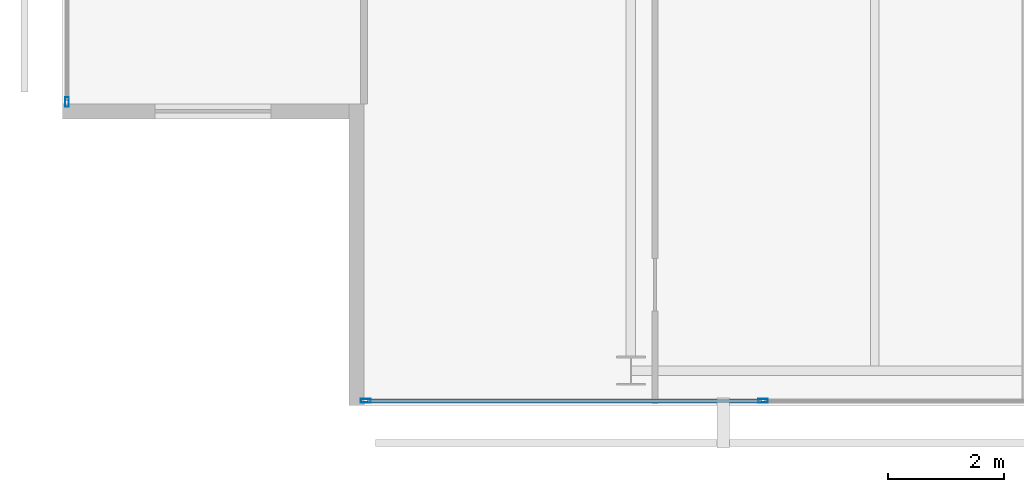
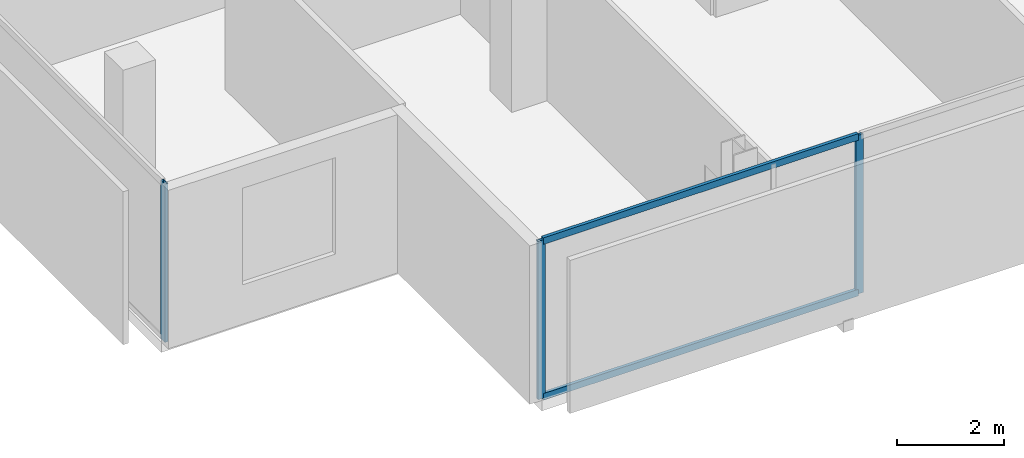
# One storey, part 2 of 25: 5 members, 2 elements without a shape of their own.
"""IFC4 building model written with IfcOpenShell, lengths in metres."""

from ifc_helpers import new_model, si_unit, direction, frame, origin, origin_2d, place, context, subcontext, project, spatial, hollow_rectangle, extrude, material, layer, layer_set, material_profile, profile_set, type_object, element, aggregate, save


model = new_model("IFC4")

# Units and contexts
model_context = context("Model", 3, precision=1e-05, world=origin(), true_north=direction((0.0, 1.0)))
body_context = subcontext(model_context, "Body", "Model", "MODEL_VIEW")
ifc_project = project(units=[si_unit("LENGTHUNIT", "METRE"), si_unit("AREAUNIT", "SQUARE_METRE"), si_unit("VOLUMEUNIT", "CUBIC_METRE"), si_unit("PLANEANGLEUNIT", "RADIAN"), si_unit("MASSUNIT", "GRAM", prefix="KILO")], contexts=[model_context])

# Site, building, storey
site_placement = place(None, origin())
site = spatial("IfcSite", under=ifc_project, at=site_placement, CompositionType="ELEMENT")
building_placement = place(site_placement, origin())
building = spatial("IfcBuilding", under=site, at=building_placement, Name="Maruvema Waterfront Hotel and Observation Tower", CompositionType="ELEMENT")
storey_placement = place(building_placement, frame((0.0, 0.0, 297.14990234375)))
storey = spatial("IfcBuildingStorey", under=building, at=storey_placement, Name="L73", CompositionType="ELEMENT", Elevation=297.14990234375)

# Curtain wall, members
ifc_material_1 = material(Name="Anodised bronze aluminium and solar-control low-E IGU", Category="aluminium")
ifc_layer = layer(ifc_material_1, 0.159912109375, Name="Zone 3 Champagne Inner Thermal Curtain Wall System CW-04")
ifc_layer_set = layer_set([ifc_layer], Name="Anodised bronze aluminium and solar-control low-E IGU")
curtain_wall_type = type_object("IfcCurtainWallType", Name="Zone 3 Champagne Inner Thermal Curtain Wall System CW-04", PredefinedType="USERDEFINED", material=ifc_layer_set)
curtain_wall_1_placement = place(storey_placement, origin())
curtain_wall_1 = element("IfcCurtainWall", 1, at=curtain_wall_1_placement, inside=storey, type_object=curtain_wall_type, Name="L73 Curtain Wall CW-L73-S", ObjectType="UNITISED CURTAIN WALL", PredefinedType="USERDEFINED")
ifc_material_2 = material(Name="Anodised architectural bronze aluminium", Category="aluminium")
ifc_material_profile_1 = material_profile(ifc_material_2, hollow_rectangle(XDim=0.070068359375, YDim=0.14990234375, WallThickness=0.00390625, at=origin_2d()), Name="ALU-T70x150")
ifc_profile_set_1 = profile_set([ifc_material_profile_1], Name="Anodised architectural bronze aluminium")
member_type_1 = type_object("IfcMemberType", Name="Curtain Wall Horizontal Transom ALU-T70x150", PredefinedType="USERDEFINED", material=ifc_profile_set_1)
member_1_placement = place(storey_placement, frame((20.659912109375, 9.280029296875, 0.030029296875), z_axis=(1.0, 0.0, 0.0), x_axis=(0.0, 1.0, 0.0)))
member_1 = element("IfcMember", 2, at=member_1_placement, type_object=member_type_1, Name="CW-04 transom 1.1", ObjectType="TRANSOM", PredefinedType="USERDEFINED", context=body_context, shape_type="SweptSolid", body=[
    extrude(hollow_rectangle(XDim=0.070068359375, YDim=0.14990234375, WallThickness=0.00390625, at=origin_2d()), origin(), (0.0, 0.0, 1.0), 6.7900390625),
])
member_2_placement = place(storey_placement, frame((20.659912109375, 9.280029296875, 3.580078125), z_axis=(1.0, 0.0, 0.0), x_axis=(0.0, 1.0, 0.0)))
member_2 = element("IfcMember", 3, at=member_2_placement, type_object=member_type_1, Name="CW-04 transom 1.2", ObjectType="TRANSOM", PredefinedType="USERDEFINED", context=body_context, shape_type="SweptSolid", body=[
    extrude(hollow_rectangle(XDim=0.070068359375, YDim=0.14990234375, WallThickness=0.00390625, at=origin_2d()), origin(), (0.0, 0.0, 1.0), 6.7900390625),
])
ifc_material_3 = material(Name="Anodised architectural bronze aluminium", Category="aluminium")
ifc_material_profile_2 = material_profile(ifc_material_3, hollow_rectangle(XDim=0.06494140625, YDim=0.1650390625, WallThickness=0.00390625, at=origin_2d()), Name="ALU-M65x165")
ifc_profile_set_2 = profile_set([ifc_material_profile_2], Name="Anodised architectural bronze aluminium")
member_type_2 = type_object("IfcMemberType", Name="Curtain Wall Primary Mullion ALU-M65x165", PredefinedType="MULLION", material=ifc_profile_set_2)
member_3_placement = place(storey_placement, frame((20.6298828125, 9.280029296875, 0.0), z_axis=(0.0, 0.0, 1.0), x_axis=(0.0, 1.0, 0.0)))
member_3 = element("IfcMember", 4, at=member_3_placement, type_object=member_type_2, Name="CW-04 mullion 1", PredefinedType="MULLION", context=body_context, shape_type="SweptSolid", body=[
    extrude(hollow_rectangle(XDim=0.06494140625, YDim=0.1650390625, WallThickness=0.00390625, at=origin_2d()), origin(), (0.0, 0.0, 1.0), 3.610107421875),
])
member_4_placement = place(storey_placement, frame((27.47998046875, 9.280029296875, 0.0), z_axis=(0.0, 0.0, 1.0), x_axis=(0.0, 1.0, 0.0)))
member_4 = element("IfcMember", 5, at=member_4_placement, type_object=member_type_2, Name="CW-04 mullion 2", PredefinedType="MULLION", context=body_context, shape_type="SweptSolid", body=[
    extrude(hollow_rectangle(XDim=0.06494140625, YDim=0.1650390625, WallThickness=0.00390625, at=origin_2d()), origin(), (0.0, 0.0, 1.0), 3.610107421875),
])
aggregate(curtain_wall_1, [member_3, member_4, member_1, member_2])

# Curtain wall, member
curtain_wall_2_placement = place(storey_placement, origin())
curtain_wall_2 = element("IfcCurtainWall", 6, at=curtain_wall_2_placement, inside=storey, type_object=curtain_wall_type, Name="L73 Curtain Wall CW-L73-W", ObjectType="UNITISED CURTAIN WALL", PredefinedType="USERDEFINED")
member_5_placement = place(storey_placement, frame((15.47998046875, 14.429931640625, 0.0), z_axis=(0.0, 0.0, 1.0), x_axis=(1.0, 0.0, 0.0)))
member_5 = element("IfcMember", 7, at=member_5_placement, type_object=member_type_2, Name="CW-04 mullion 6", PredefinedType="MULLION", context=body_context, shape_type="SweptSolid", body=[
    extrude(hollow_rectangle(XDim=0.06494140625, YDim=0.1650390625, WallThickness=0.00390625, at=origin_2d()), origin(), (0.0, 0.0, 1.0), 3.610107421875),
])
aggregate(curtain_wall_2, [member_5])

save(model, "model.ifc")
